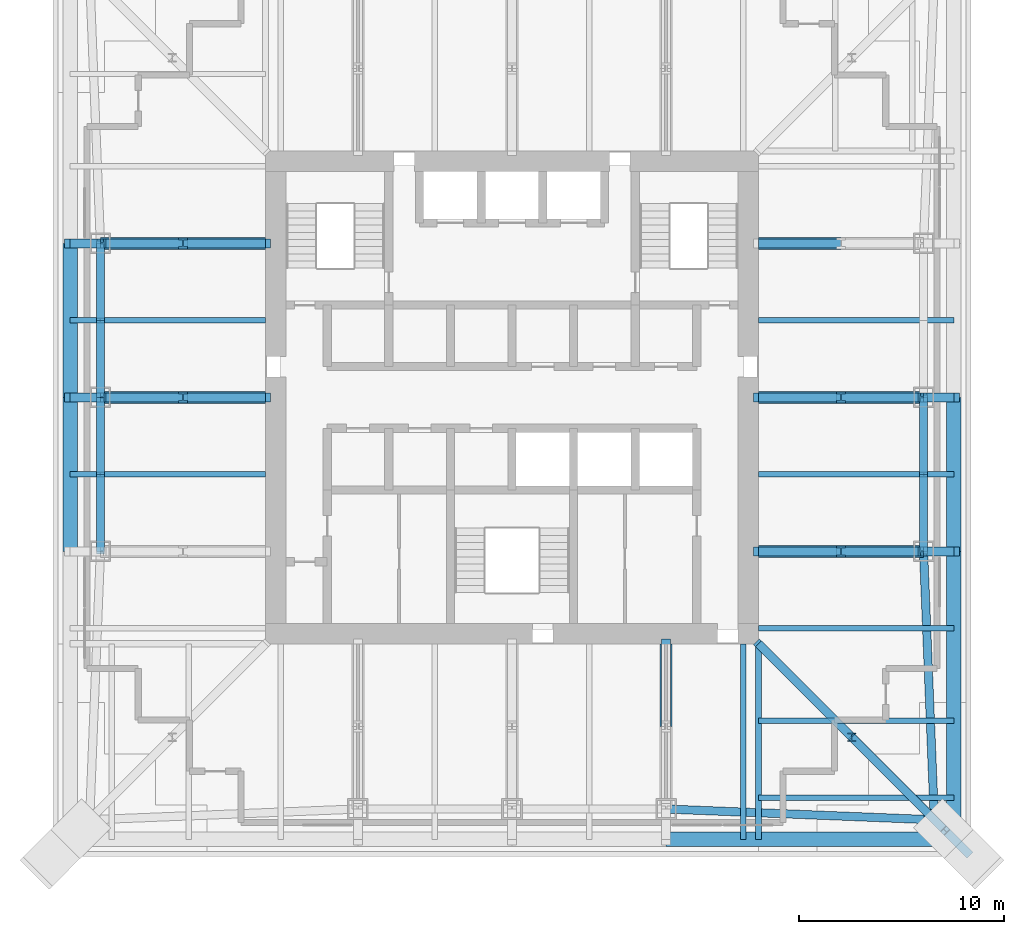
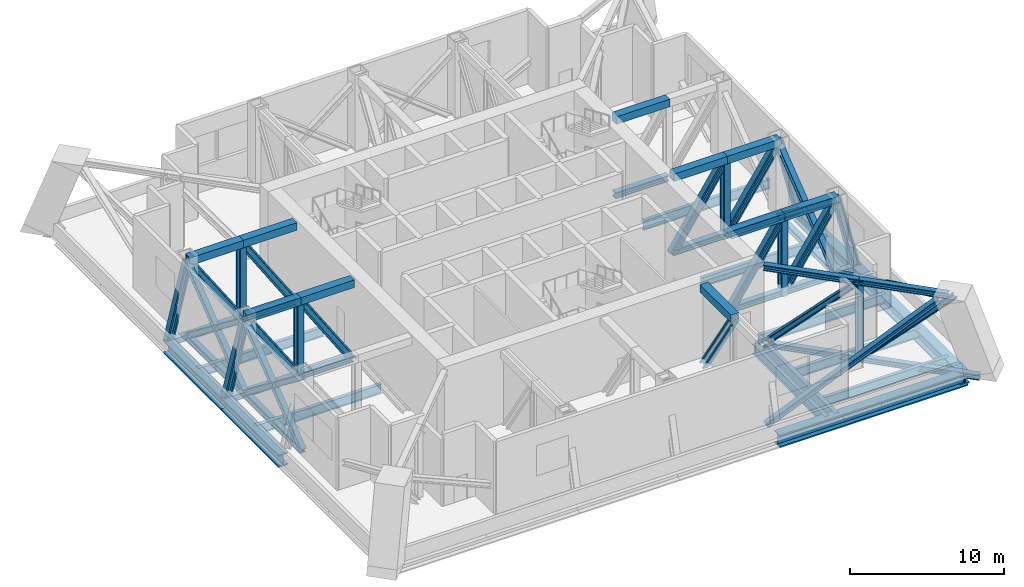
# One storey, part 2 of 9: 64 members, 14 beams.
"""IFC4 building model written with IfcOpenShell, lengths in metres."""

from ifc_helpers import new_model, si_unit, direction, frame, origin, origin_2d, place, context, subcontext, project, spatial, hollow_rectangle, i_section, extrude, clip, halfspace, material, material_profile, profile_set, type_object, element, save


model = new_model("IFC4")

# Units and contexts
model_context = context("Model", 3, precision=1e-05, world=origin(), true_north=direction((0.0, 1.0)))
body_context = subcontext(model_context, "Body", "Model", "MODEL_VIEW")
ifc_project = project(units=[si_unit("LENGTHUNIT", "METRE"), si_unit("AREAUNIT", "SQUARE_METRE"), si_unit("VOLUMEUNIT", "CUBIC_METRE"), si_unit("PLANEANGLEUNIT", "RADIAN"), si_unit("MASSUNIT", "GRAM", prefix="KILO")], contexts=[model_context])

# Site, building, storey
site_placement = place(None, origin())
site = spatial("IfcSite", under=ifc_project, at=site_placement, CompositionType="ELEMENT")
building_placement = place(site_placement, origin())
building = spatial("IfcBuilding", under=site, at=building_placement, Name="Tarangal Relay Tower", CompositionType="ELEMENT")
storey_placement = place(building_placement, frame((0.0, 0.0, 253.89990234375)))
storey = spatial("IfcBuildingStorey", under=building, at=storey_placement, Name="L55", CompositionType="ELEMENT", Elevation=253.89990234375)

# Members
ifc_material_1 = material(Name="Steel ASTM A992", Category="steel")
ifc_material_profile_1 = material_profile(ifc_material_1, i_section(OverallWidth=0.40380859375, OverallDepth=0.406494140625, WebThickness=0.027099609375, FlangeThickness=0.043701171875, at=origin_2d()), Name="W14X233")
ifc_profile_set_1 = profile_set([ifc_material_profile_1], Name="Steel ASTM A992")
member_type_1 = type_object("IfcMemberType", Name="Belt truss brace W14X233", PredefinedType="BRACE", material=ifc_profile_set_1)
for number, where, z_axis, x_axis, name in (
    (1, (20.0400390625, 0.0, -0.4873046875), (0.0, -0.790390136435, 0.612603813428), (1.0, 0.0, 0.0), "Belt truss E L55 brace"),
    (2, (20.0400390625, -3.75, 2.419189453125), (0.0, -0.790390136435, 0.612603813428), (1.0, 0.0, 0.0), "Belt truss E L55 brace"),
    (3, (20.0400390625, -7.5, -0.4873046875), (0.0, 0.790390136435, 0.612603813428), (-1.0, 0.0, 0.0), "Belt truss E L55 brace"),
    (4, (20.0400390625, -3.75, 2.419189453125), (0.0, 0.790390136435, 0.612603813428), (-1.0, 0.0, 0.0), "Belt truss E L55 brace"),
):
    element("IfcMember", number, at=place(storey_placement, frame(where, z_axis=z_axis, x_axis=x_axis)), inside=storey, type_object=member_type_1, Name=name, PredefinedType="BRACE", context=body_context, shape_type="SweptSolid", body=[
        extrude(i_section(OverallWidth=0.40380859375, OverallDepth=0.406494140625, WebThickness=0.027099609375, FlangeThickness=0.043701171875, at=origin_2d()), origin(), (0.0, 0.0, 1.0), 4.744384765625),
    ])
for number, where, z_axis, x_axis, name in (
    (5, (20.0400390625, -7.5, -0.4873046875), (0.036609871243, -0.908043977313, 0.417271916853), (0.999188247597, 0.040284561108, 0.0), "Belt truss E L55 end brace"),
    (6, (7.5, -20.0400390625, -0.4873046875), (0.908043977313, -0.036609871243, 0.417271916853), (0.040284561108, 0.999188247597, 0.0), "Belt truss S L55 end brace"),
):
    element("IfcMember", number, at=place(storey_placement, frame(where, z_axis=z_axis, x_axis=x_axis)), inside=storey, type_object=member_type_1, Name=name, PredefinedType="BRACE", context=body_context, shape_type="SweptSolid", body=[
        extrude(i_section(OverallWidth=0.40380859375, OverallDepth=0.406494140625, WebThickness=0.027099609375, FlangeThickness=0.043701171875, at=origin_2d()), origin(), (0.0, 0.0, 1.0), 13.930908203125),
    ])
for number, where, z_axis, x_axis, name in (
    (7, (-20.0400390625, -7.5, -0.4873046875), (0.0, 0.790390136435, 0.612603813428), (-1.0, 0.0, 0.0), "Belt truss W L55 brace"),
    (8, (-20.0400390625, -3.75, 2.419189453125), (0.0, 0.790390136435, 0.612603813428), (-1.0, 0.0, 0.0), "Belt truss W L55 brace"),
    (9, (-20.0400390625, 0.0, -0.4873046875), (0.0, -0.790390136435, 0.612603813428), (1.0, 0.0, 0.0), "Belt truss W L55 brace"),
    (10, (-20.0400390625, -3.75, 2.419189453125), (0.0, -0.790390136435, 0.612603813428), (1.0, 0.0, 0.0), "Belt truss W L55 brace"),
    (11, (-20.0400390625, 0.0, -0.4873046875), (0.0, 0.790390136435, 0.612603813428), (-1.0, 0.0, 0.0), "Belt truss W L55 brace"),
    (12, (-20.0400390625, 3.75, 2.419189453125), (0.0, 0.790390136435, 0.612603813428), (-1.0, 0.0, 0.0), "Belt truss W L55 brace"),
    (13, (-20.0400390625, 7.5, -0.4873046875), (0.0, -0.790390136435, 0.612603813428), (1.0, 0.0, 0.0), "Belt truss W L55 brace"),
    (14, (-20.0400390625, 3.75, 2.419189453125), (0.0, -0.790390136435, 0.612603813428), (1.0, 0.0, 0.0), "Belt truss W L55 brace"),
):
    element("IfcMember", number, at=place(storey_placement, frame(where, z_axis=z_axis, x_axis=x_axis)), inside=storey, type_object=member_type_1, Name=name, PredefinedType="BRACE", context=body_context, shape_type="SweptSolid", body=[
        extrude(i_section(OverallWidth=0.40380859375, OverallDepth=0.406494140625, WebThickness=0.027099609375, FlangeThickness=0.043701171875, at=origin_2d()), origin(), (0.0, 0.0, 1.0), 4.744384765625),
    ])
ifc_material_profile_2 = material_profile(ifc_material_1, i_section(OverallWidth=0.406494140625, OverallDepth=0.41650390625, WebThickness=0.030029296875, FlangeThickness=0.048095703125, at=origin_2d()), Name="W14X257")
ifc_profile_set_2 = profile_set([ifc_material_profile_2], Name="Steel ASTM A992")
member_type_2 = type_object("IfcMemberType", Name="Belt truss chord W14X257", PredefinedType="CHORD", material=ifc_profile_set_2)
for number, where, z_axis, x_axis, name in (
    (15, (20.0400390625, 0.0, -0.4873046875), (0.0, -1.0, 0.0), (1.0, 0.0, 0.0), "Belt truss E L55 bottom chord"),
    (16, (-20.0400390625, -7.5, -0.4873046875), (0.0, 1.0, 0.0), (-1.0, 0.0, 0.0), "Belt truss W L55 bottom chord"),
    (17, (-20.0400390625, 0.0, -0.4873046875), (0.0, 1.0, 0.0), (-1.0, 0.0, 0.0), "Belt truss W L55 bottom chord"),
):
    element("IfcMember", number, at=place(storey_placement, frame(where, z_axis=z_axis, x_axis=x_axis)), inside=storey, type_object=member_type_2, Name=name, PredefinedType="CHORD", context=body_context, shape_type="SweptSolid", body=[
        extrude(i_section(OverallWidth=0.406494140625, OverallDepth=0.41650390625, WebThickness=0.030029296875, FlangeThickness=0.048095703125, at=origin_2d()), origin(), (0.0, 0.0, 1.0), 7.5),
    ])

# Beams
ifc_material_profile_3 = material_profile(ifc_material_1, i_section(OverallWidth=0.2666015625, OverallDepth=0.761962890625, WebThickness=0.014404296875, FlangeThickness=0.021484375, at=origin_2d()), Name="W30X116")
ifc_profile_set_3 = profile_set([ifc_material_profile_3], Name="Steel ASTM A992")
beam_type_1 = type_object("IfcBeamType", Name="Corner beam W30X116", PredefinedType="JOIST", material=ifc_profile_set_3)
for number, where, z_axis, x_axis, name in (
    (18, (12.0, -15.75, -0.630859375), (1.0, 0.0, 0.0), (0.0, 1.0, 0.0), "Corner beam CB1 E L55"),
    (19, (12.0, -19.5, -0.630859375), (1.0, 0.0, 0.0), (0.0, 1.0, 0.0), "Corner beam CB1 E L55"),
):
    element("IfcBeam", number, at=place(storey_placement, frame(where, z_axis=z_axis, x_axis=x_axis)), inside=storey, type_object=beam_type_1, Name=name, PredefinedType="JOIST", context=body_context, shape_type="SweptSolid", body=[
        extrude(i_section(OverallWidth=0.2666015625, OverallDepth=0.761962890625, WebThickness=0.014404296875, FlangeThickness=0.021484375, at=origin_2d()), origin(), (0.0, 0.0, 1.0), 9.514892578125),
    ])
ifc_material_profile_4 = material_profile(ifc_material_1, i_section(OverallWidth=0.307373046875, OverallDepth=0.9423828125, WebThickness=0.022216796875, FlangeThickness=0.039794921875, at=origin_2d()), Name="W36X232")
ifc_profile_set_4 = profile_set([ifc_material_profile_4], Name="Steel ASTM A992")
beam_type_2 = type_object("IfcBeamType", Name="Corner girder W36X232", PredefinedType="BEAM", material=ifc_profile_set_4)
beam_1_placement = place(storey_placement, frame((12.0, -12.0, -0.720947265625), z_axis=(0.0, -1.0, 0.0), x_axis=(1.0, 0.0, 0.0)))
element("IfcBeam", 20, at=beam_1_placement, inside=storey, type_object=beam_type_2, Name="Corner girder CG4 E L55", PredefinedType="BEAM", context=body_context, shape_type="SweptSolid", body=[
    extrude(i_section(OverallWidth=0.307373046875, OverallDepth=0.9423828125, WebThickness=0.022216796875, FlangeThickness=0.039794921875, at=origin_2d()), origin(), (0.0, 0.0, 1.0), 9.514892578125),
])
ifc_material_2 = material(Name="Steel ASTM A572 Grade 50", Category="steel")
ifc_material_profile_5 = material_profile(ifc_material_2, i_section(OverallWidth=0.699951171875, OverallDepth=1.0, WebThickness=0.030029296875, FlangeThickness=0.10009765625, at=origin_2d()), Name="PG1000X700X100X30")
ifc_profile_set_5 = profile_set([ifc_material_profile_5], Name="Steel ASTM A572 Grade 50")
beam_type_3 = type_object("IfcBeamType", Name="Edge girder PG1000X700X100X30", PredefinedType="SPANDREL", material=ifc_profile_set_5)
beam_2_placement = place(storey_placement, frame((21.514892578125, 0.0, -0.75), z_axis=(0.0, -1.0, 0.0), x_axis=(1.0, 0.0, 0.0)))
element("IfcBeam", 21, at=beam_2_placement, inside=storey, type_object=beam_type_3, Name="Edge girder EG13 E L55", PredefinedType="SPANDREL", context=body_context, shape_type="SweptSolid", body=[
    extrude(i_section(OverallWidth=0.699951171875, OverallDepth=1.0, WebThickness=0.030029296875, FlangeThickness=0.10009765625, at=origin_2d()), origin(), (0.0, 0.0, 1.0), 7.5),
])
for number, where, z_axis, x_axis, name in (
    (22, (21.514892578125, -7.5, -0.75), (0.0, -1.0, 0.0), (1.0, 0.0, 0.0), "Edge girder EG13 E L55"),
    (23, (21.64990234375, -21.514892578125, -0.75), (-1.0, 0.0, 0.0), (0.0, -1.0, 0.0), "Edge girder EG13 S L55"),
):
    element("IfcBeam", number, at=place(storey_placement, frame(where, z_axis=z_axis, x_axis=x_axis)), inside=storey, type_object=beam_type_3, Name=name, PredefinedType="SPANDREL", context=body_context, shape_type="SweptSolid", body=[
        extrude(i_section(OverallWidth=0.699951171875, OverallDepth=1.0, WebThickness=0.030029296875, FlangeThickness=0.10009765625, at=origin_2d()), origin(), (0.0, 0.0, 1.0), 14.14990234375),
    ])
for number, where, z_axis, x_axis, name in (
    (24, (-21.514892578125, -7.5, -0.75), (0.0, 1.0, 0.0), (-1.0, 0.0, 0.0), "Edge girder EG13 W L55"),
    (25, (-21.514892578125, 0.0, -0.75), (0.0, 1.0, 0.0), (-1.0, 0.0, 0.0), "Edge girder EG13 W L55"),
):
    element("IfcBeam", number, at=place(storey_placement, frame(where, z_axis=z_axis, x_axis=x_axis)), inside=storey, type_object=beam_type_3, Name=name, PredefinedType="SPANDREL", context=body_context, shape_type="SweptSolid", body=[
        extrude(i_section(OverallWidth=0.699951171875, OverallDepth=1.0, WebThickness=0.030029296875, FlangeThickness=0.10009765625, at=origin_2d()), origin(), (0.0, 0.0, 1.0), 7.5),
    ])
ifc_material_profile_6 = material_profile(ifc_material_1, i_section(OverallWidth=0.2666015625, OverallDepth=0.75439453125, WebThickness=0.01318359375, FlangeThickness=0.01708984375, at=origin_2d()), Name="W30X99")
ifc_profile_set_6 = profile_set([ifc_material_profile_6], Name="Steel ASTM A992")
beam_type_4 = type_object("IfcBeamType", Name="Floor beam W30X99", PredefinedType="BEAM", material=ifc_profile_set_6)
for number, where, z_axis, x_axis, name in (
    (26, (12.0, 3.75, -0.627197265625), (1.0, 0.0, 0.0), (0.0, 1.0, 0.0), "Floor beam RB7 E L55"),
    (27, (12.0, -3.75, -0.627197265625), (1.0, 0.0, 0.0), (0.0, 1.0, 0.0), "Floor beam RB7 E L55"),
    (28, (12.0, -11.25, -0.627197265625), (1.0, 0.0, 0.0), (0.0, 1.0, 0.0), "Floor beam RB7 E L55"),
    (29, (11.25, -12.0, -0.627197265625), (0.0, -1.0, 0.0), (1.0, 0.0, 0.0), "Floor beam RB7 S L55"),
    (30, (-12.0, -3.75, -0.627197265625), (-1.0, 0.0, 0.0), (0.0, -1.0, 0.0), "Floor beam RB7 W L55"),
    (31, (-12.0, 3.75, -0.627197265625), (-1.0, 0.0, 0.0), (0.0, -1.0, 0.0), "Floor beam RB7 W L55"),
):
    element("IfcBeam", number, at=place(storey_placement, frame(where, z_axis=z_axis, x_axis=x_axis)), inside=storey, type_object=beam_type_4, Name=name, PredefinedType="BEAM", context=body_context, shape_type="SweptSolid", body=[
        extrude(i_section(OverallWidth=0.2666015625, OverallDepth=0.75439453125, WebThickness=0.01318359375, FlangeThickness=0.01708984375, at=origin_2d()), origin(), (0.0, 0.0, 1.0), 9.514892578125),
    ])

# Members
ifc_material_profile_7 = material_profile(ifc_material_1, i_section(OverallWidth=0.41162109375, OverallDepth=0.434326171875, WebThickness=0.035888671875, FlangeThickness=0.057373046875, at=origin_2d()), Name="W14X311")
ifc_profile_set_7 = profile_set([ifc_material_profile_7], Name="Steel ASTM A992")
member_type_3 = type_object("IfcMemberType", Name="Outrigger chord W14X311", PredefinedType="CHORD", material=ifc_profile_set_7)
member_1_placement = place(storey_placement, frame((12.0, -12.0, -0.467041015625), z_axis=(0.707106781187, -0.707106781187, 0.0), x_axis=(0.707106781187, 0.707106781187, 0.0)))
element("IfcMember", 32, at=member_1_placement, inside=storey, type_object=member_type_3, Name="Outrigger SE L55 bottom chord", PredefinedType="CHORD", context=body_context, shape_type="SweptSolid", body=[
    extrude(i_section(OverallWidth=0.41162109375, OverallDepth=0.434326171875, WebThickness=0.035888671875, FlangeThickness=0.057373046875, at=origin_2d()), origin(), (0.0, 0.0, 1.0), 6.428955078125),
])
member_2_placement = place(storey_placement, frame((16.5458984375, -16.5458984375, -0.467041015625), z_axis=(0.707106781187, -0.707106781187, 0.0), x_axis=(0.707106781187, 0.707106781187, 0.0)))
element("IfcMember", 33, at=member_2_placement, inside=storey, type_object=member_type_3, Name="Outrigger SE L55 bottom chord", PredefinedType="CHORD", context=body_context, shape_type="Clipping", body=[
    clip(extrude(i_section(OverallWidth=0.41162109375, OverallDepth=0.434326171875, WebThickness=0.035888671875, FlangeThickness=0.057373046875, at=origin_2d()), origin(), (0.0, 0.0, 1.0), 8.42041015625), halfspace(frame((0.0, 0.0, 8.1298828125)), False)),
])
member_3_placement = place(storey_placement, frame((12.0, -12.0, 5.6328125), z_axis=(0.707106781187, -0.707106781187, 0.0), x_axis=(0.707106781187, 0.707106781187, 0.0)))
element("IfcMember", 34, at=member_3_placement, inside=storey, type_object=member_type_3, Name="Outrigger SE L55 top chord", PredefinedType="CHORD", context=body_context, shape_type="SweptSolid", body=[
    extrude(i_section(OverallWidth=0.41162109375, OverallDepth=0.434326171875, WebThickness=0.035888671875, FlangeThickness=0.057373046875, at=origin_2d()), origin(), (0.0, 0.0, 1.0), 6.428955078125),
])
member_4_placement = place(storey_placement, frame((16.5458984375, -16.5458984375, 5.6328125), z_axis=(0.707106781187, -0.707106781187, 0.0), x_axis=(0.707106781187, 0.707106781187, 0.0)))
element("IfcMember", 35, at=member_4_placement, inside=storey, type_object=member_type_3, Name="Outrigger SE L55 top chord", PredefinedType="CHORD", context=body_context, shape_type="Clipping", body=[
    clip(extrude(i_section(OverallWidth=0.41162109375, OverallDepth=0.434326171875, WebThickness=0.035888671875, FlangeThickness=0.057373046875, at=origin_2d()), origin(), (0.0, 0.0, 1.0), 6.428955078125), halfspace(frame((0.0, 0.0, 6.008544921875)), False)),
])
ifc_material_profile_8 = material_profile(ifc_material_1, i_section(OverallWidth=0.40380859375, OverallDepth=0.406494140625, WebThickness=0.027099609375, FlangeThickness=0.043701171875, at=origin_2d()), Name="W14X233")
ifc_profile_set_8 = profile_set([ifc_material_profile_8], Name="Steel ASTM A992")
member_type_4 = type_object("IfcMemberType", Name="Outrigger web W14X233", PredefinedType="STRUT", material=ifc_profile_set_8)
member_5_placement = place(storey_placement, frame((16.5458984375, -16.5458984375, -0.467041015625), z_axis=(0.0, 0.0, 1.0), x_axis=(1.0, 0.0, 0.0)))
element("IfcMember", 36, at=member_5_placement, inside=storey, type_object=member_type_4, Name="Outrigger SE L55 vertical", PredefinedType="STRUT", context=body_context, shape_type="SweptSolid", body=[
    extrude(i_section(OverallWidth=0.40380859375, OverallDepth=0.406494140625, WebThickness=0.027099609375, FlangeThickness=0.043701171875, at=origin_2d()), origin(), (0.0, 0.0, 1.0), 6.099853515625),
])
for number, where, z_axis, x_axis, name in (
    (37, (12.0, -12.0, -0.467041015625), (0.512953687451, -0.512953687451, 0.688300101018), (0.707106781187, 0.707106781187, 0.0), "Outrigger SE L55 diagonal"),
    (38, (16.5458984375, -16.5458984375, -0.467041015625), (0.512953687451, -0.512953687451, 0.688300101018), (0.707106781187, 0.707106781187, 0.0), "Outrigger SE L55 diagonal"),
):
    element("IfcMember", number, at=place(storey_placement, frame(where, z_axis=z_axis, x_axis=x_axis)), inside=storey, type_object=member_type_4, Name=name, PredefinedType="STRUT", context=body_context, shape_type="SweptSolid", body=[
        extrude(i_section(OverallWidth=0.40380859375, OverallDepth=0.406494140625, WebThickness=0.027099609375, FlangeThickness=0.043701171875, at=origin_2d()), origin(), (0.0, 0.0, 1.0), 8.8623046875),
    ])
ifc_material_profile_9 = material_profile(ifc_material_1, i_section(OverallWidth=0.42431640625, OverallDepth=0.47509765625, WebThickness=0.0478515625, FlangeThickness=0.0771484375, at=origin_2d()), Name="W14X426")
ifc_profile_set_9 = profile_set([ifc_material_profile_9], Name="Steel ASTM A992")
member_type_5 = type_object("IfcMemberType", Name="Transfer truss chord W14X426", PredefinedType="CHORD", material=ifc_profile_set_9)
for number, where, z_axis, x_axis, name in (
    (39, (12.0, 7.5, -0.4873046875), (1.0, 0.0, 0.0), (0.0, 1.0, 0.0), "Transfer truss E -7.5 L55 bottom chord"),
    (40, (12.0, 0.0, -0.4873046875), (1.0, 0.0, 0.0), (0.0, 1.0, 0.0), "Transfer truss E +0.0 L55 bottom chord"),
    (41, (16.02001953125, 0.0, -0.4873046875), (1.0, 0.0, 0.0), (0.0, 1.0, 0.0), "Transfer truss E +0.0 L55 bottom chord"),
):
    element("IfcMember", number, at=place(storey_placement, frame(where, z_axis=z_axis, x_axis=x_axis)), inside=storey, type_object=member_type_5, Name=name, PredefinedType="CHORD", context=body_context, shape_type="SweptSolid", body=[
        extrude(i_section(OverallWidth=0.42431640625, OverallDepth=0.47509765625, WebThickness=0.0478515625, FlangeThickness=0.0771484375, at=origin_2d()), origin(), (0.0, 0.0, 1.0), 4.02001953125),
    ])
member_6_placement = place(storey_placement, frame((20.0400390625, 0.0, -0.4873046875), z_axis=(1.0, 0.0, 0.0), x_axis=(0.0, 1.0, 0.0)))
element("IfcMember", 42, at=member_6_placement, inside=storey, type_object=member_type_5, Name="Transfer truss E +0.0 L55 bottom chord", PredefinedType="CHORD", context=body_context, shape_type="SweptSolid", body=[
    extrude(i_section(OverallWidth=0.42431640625, OverallDepth=0.47509765625, WebThickness=0.0478515625, FlangeThickness=0.0771484375, at=origin_2d()), origin(), (0.0, 0.0, 1.0), 1.474853515625),
])
for number, where, z_axis, x_axis, name in (
    (43, (12.0, -7.5, -0.4873046875), (1.0, 0.0, 0.0), (0.0, 1.0, 0.0), "Transfer truss E +7.5 L55 bottom chord"),
    (44, (16.02001953125, -7.5, -0.4873046875), (1.0, 0.0, 0.0), (0.0, 1.0, 0.0), "Transfer truss E +7.5 L55 bottom chord"),
):
    element("IfcMember", number, at=place(storey_placement, frame(where, z_axis=z_axis, x_axis=x_axis)), inside=storey, type_object=member_type_5, Name=name, PredefinedType="CHORD", context=body_context, shape_type="SweptSolid", body=[
        extrude(i_section(OverallWidth=0.42431640625, OverallDepth=0.47509765625, WebThickness=0.0478515625, FlangeThickness=0.0771484375, at=origin_2d()), origin(), (0.0, 0.0, 1.0), 4.02001953125),
    ])
member_7_placement = place(storey_placement, frame((20.0400390625, -7.5, -0.4873046875), z_axis=(1.0, 0.0, 0.0), x_axis=(0.0, 1.0, 0.0)))
element("IfcMember", 45, at=member_7_placement, inside=storey, type_object=member_type_5, Name="Transfer truss E +7.5 L55 bottom chord", PredefinedType="CHORD", context=body_context, shape_type="SweptSolid", body=[
    extrude(i_section(OverallWidth=0.42431640625, OverallDepth=0.47509765625, WebThickness=0.0478515625, FlangeThickness=0.0771484375, at=origin_2d()), origin(), (0.0, 0.0, 1.0), 1.474853515625),
])
for number, where, z_axis, x_axis, name in (
    (46, (-12.0, 0.0, -0.4873046875), (-1.0, 0.0, 0.0), (0.0, -1.0, 0.0), "Transfer truss W +0.0 L55 bottom chord"),
    (47, (-16.02001953125, 0.0, -0.4873046875), (-1.0, 0.0, 0.0), (0.0, -1.0, 0.0), "Transfer truss W +0.0 L55 bottom chord"),
):
    element("IfcMember", number, at=place(storey_placement, frame(where, z_axis=z_axis, x_axis=x_axis)), inside=storey, type_object=member_type_5, Name=name, PredefinedType="CHORD", context=body_context, shape_type="SweptSolid", body=[
        extrude(i_section(OverallWidth=0.42431640625, OverallDepth=0.47509765625, WebThickness=0.0478515625, FlangeThickness=0.0771484375, at=origin_2d()), origin(), (0.0, 0.0, 1.0), 4.02001953125),
    ])
member_8_placement = place(storey_placement, frame((-20.0400390625, 0.0, -0.4873046875), z_axis=(-1.0, 0.0, 0.0), x_axis=(0.0, -1.0, 0.0)))
element("IfcMember", 48, at=member_8_placement, inside=storey, type_object=member_type_5, Name="Transfer truss W +0.0 L55 bottom chord", PredefinedType="CHORD", context=body_context, shape_type="SweptSolid", body=[
    extrude(i_section(OverallWidth=0.42431640625, OverallDepth=0.47509765625, WebThickness=0.0478515625, FlangeThickness=0.0771484375, at=origin_2d()), origin(), (0.0, 0.0, 1.0), 1.474853515625),
])
for number, where, z_axis, x_axis, name in (
    (49, (-12.0, 7.5, -0.4873046875), (-1.0, 0.0, 0.0), (0.0, -1.0, 0.0), "Transfer truss W +7.5 L55 bottom chord"),
    (50, (-16.02001953125, 7.5, -0.4873046875), (-1.0, 0.0, 0.0), (0.0, -1.0, 0.0), "Transfer truss W +7.5 L55 bottom chord"),
):
    element("IfcMember", number, at=place(storey_placement, frame(where, z_axis=z_axis, x_axis=x_axis)), inside=storey, type_object=member_type_5, Name=name, PredefinedType="CHORD", context=body_context, shape_type="SweptSolid", body=[
        extrude(i_section(OverallWidth=0.42431640625, OverallDepth=0.47509765625, WebThickness=0.0478515625, FlangeThickness=0.0771484375, at=origin_2d()), origin(), (0.0, 0.0, 1.0), 4.02001953125),
    ])
member_9_placement = place(storey_placement, frame((-20.0400390625, 7.5, -0.4873046875), z_axis=(-1.0, 0.0, 0.0), x_axis=(0.0, -1.0, 0.0)))
element("IfcMember", 51, at=member_9_placement, inside=storey, type_object=member_type_5, Name="Transfer truss W +7.5 L55 bottom chord", PredefinedType="CHORD", context=body_context, shape_type="SweptSolid", body=[
    extrude(i_section(OverallWidth=0.42431640625, OverallDepth=0.47509765625, WebThickness=0.0478515625, FlangeThickness=0.0771484375, at=origin_2d()), origin(), (0.0, 0.0, 1.0), 1.474853515625),
])
ifc_material_profile_10 = material_profile(ifc_material_2, hollow_rectangle(XDim=0.60009765625, YDim=0.60009765625, WallThickness=0.070068359375, at=origin_2d()), Name="BOX600X600X70")
ifc_profile_set_10 = profile_set([ifc_material_profile_10], Name="Steel ASTM A572 Grade 50")
member_type_6 = type_object("IfcMemberType", Name="Transfer truss top chord BOX600X600X70", PredefinedType="CHORD", material=ifc_profile_set_10)
for number, where, z_axis, x_axis, name in (
    (52, (12.0, 7.5, 5.550048828125), (1.0, 0.0, 0.0), (0.0, 1.0, 0.0), "Transfer truss E -7.5 L55 top chord"),
    (53, (12.0, 0.0, 5.550048828125), (1.0, 0.0, 0.0), (0.0, 1.0, 0.0), "Transfer truss E +0.0 L55 top chord"),
    (54, (16.02001953125, 0.0, 5.550048828125), (1.0, 0.0, 0.0), (0.0, 1.0, 0.0), "Transfer truss E +0.0 L55 top chord"),
    (55, (12.0, -7.5, 5.550048828125), (1.0, 0.0, 0.0), (0.0, 1.0, 0.0), "Transfer truss E +7.5 L55 top chord"),
    (56, (16.02001953125, -7.5, 5.550048828125), (1.0, 0.0, 0.0), (0.0, 1.0, 0.0), "Transfer truss E +7.5 L55 top chord"),
    (57, (7.5, -12.0, 5.550048828125), (0.0, -1.0, 0.0), (1.0, 0.0, 0.0), "Transfer truss S -7.5 L55 top chord"),
    (58, (-12.0, 0.0, 5.550048828125), (-1.0, 0.0, 0.0), (0.0, -1.0, 0.0), "Transfer truss W +0.0 L55 top chord"),
    (59, (-16.02001953125, 0.0, 5.550048828125), (-1.0, 0.0, 0.0), (0.0, -1.0, 0.0), "Transfer truss W +0.0 L55 top chord"),
    (60, (-12.0, 7.5, 5.550048828125), (-1.0, 0.0, 0.0), (0.0, -1.0, 0.0), "Transfer truss W +7.5 L55 top chord"),
    (61, (-16.02001953125, 7.5, 5.550048828125), (-1.0, 0.0, 0.0), (0.0, -1.0, 0.0), "Transfer truss W +7.5 L55 top chord"),
):
    element("IfcMember", number, at=place(storey_placement, frame(where, z_axis=z_axis, x_axis=x_axis)), inside=storey, type_object=member_type_6, Name=name, PredefinedType="CHORD", context=body_context, shape_type="SweptSolid", body=[
        extrude(hollow_rectangle(XDim=0.60009765625, YDim=0.60009765625, WallThickness=0.070068359375, at=origin_2d()), origin(), (0.0, 0.0, 1.0), 4.02001953125),
    ])
ifc_material_profile_11 = material_profile(ifc_material_1, i_section(OverallWidth=0.44970703125, OverallDepth=0.548583984375, WebThickness=0.072021484375, FlangeThickness=0.11474609375, at=origin_2d()), Name="W14X665")
ifc_profile_set_11 = profile_set([ifc_material_profile_11], Name="Steel ASTM A992")
member_type_7 = type_object("IfcMemberType", Name="Transfer truss web W14X665", PredefinedType="STRUT", material=ifc_profile_set_11)
member_10_placement = place(storey_placement, frame((16.02001953125, 0.0, -0.724853515625), z_axis=(0.0, 0.0, 1.0), x_axis=(1.0, 0.0, 0.0)))
element("IfcMember", 62, at=member_10_placement, inside=storey, type_object=member_type_7, Name="Transfer truss E +0.0 L55 vertical", PredefinedType="STRUT", context=body_context, shape_type="SweptSolid", body=[
    extrude(i_section(OverallWidth=0.44970703125, OverallDepth=0.548583984375, WebThickness=0.072021484375, FlangeThickness=0.11474609375, at=origin_2d()), origin(), (0.0, 0.0, 1.0), 6.27490234375),
])
member_11_placement = place(storey_placement, frame((12.0, 0.0, -0.599853515625), z_axis=(0.547147296219, 0.0, 0.837036341051), x_axis=(0.0, 1.0, 0.0)))
element("IfcMember", 63, at=member_11_placement, inside=storey, type_object=member_type_7, Name="Transfer truss E +0.0 L55 diagonal", PredefinedType="STRUT", context=body_context, shape_type="SweptSolid", body=[
    extrude(i_section(OverallWidth=0.44970703125, OverallDepth=0.548583984375, WebThickness=0.072021484375, FlangeThickness=0.11474609375, at=origin_2d()), origin(), (0.0, 0.0, 1.0), 7.34716796875),
])
member_12_placement = place(storey_placement, frame((16.02001953125, 0.0, -0.4873046875), z_axis=(0.554234057344, 0.0, 0.832360865058), x_axis=(0.0, 1.0, 0.0)))
element("IfcMember", 64, at=member_12_placement, inside=storey, type_object=member_type_7, Name="Transfer truss E +0.0 L55 diagonal", PredefinedType="STRUT", context=body_context, shape_type="SweptSolid", body=[
    extrude(i_section(OverallWidth=0.44970703125, OverallDepth=0.548583984375, WebThickness=0.072021484375, FlangeThickness=0.11474609375, at=origin_2d()), origin(), (0.0, 0.0, 1.0), 7.253173828125),
])
member_13_placement = place(storey_placement, frame((21.514892578125, 0.0, -0.4873046875), z_axis=(-0.23730975733, 0.0, 0.971434032282), x_axis=(0.0, -1.0, 0.0)))
element("IfcMember", 65, at=member_13_placement, inside=storey, type_object=member_type_7, Name="Transfer truss E +0.0 L55 end diagonal", PredefinedType="STRUT", context=body_context, shape_type="SweptSolid", body=[
    extrude(i_section(OverallWidth=0.44970703125, OverallDepth=0.548583984375, WebThickness=0.072021484375, FlangeThickness=0.11474609375, at=origin_2d()), origin(), (0.0, 0.0, 1.0), 6.21484375),
])
member_14_placement = place(storey_placement, frame((16.02001953125, -7.5, -0.724853515625), z_axis=(0.0, 0.0, 1.0), x_axis=(1.0, 0.0, 0.0)))
element("IfcMember", 66, at=member_14_placement, inside=storey, type_object=member_type_7, Name="Transfer truss E +7.5 L55 vertical", PredefinedType="STRUT", context=body_context, shape_type="SweptSolid", body=[
    extrude(i_section(OverallWidth=0.44970703125, OverallDepth=0.548583984375, WebThickness=0.072021484375, FlangeThickness=0.11474609375, at=origin_2d()), origin(), (0.0, 0.0, 1.0), 6.27490234375),
])
member_15_placement = place(storey_placement, frame((12.0, -7.5, -0.599853515625), z_axis=(0.547147296219, 0.0, 0.837036341051), x_axis=(0.0, 1.0, 0.0)))
element("IfcMember", 67, at=member_15_placement, inside=storey, type_object=member_type_7, Name="Transfer truss E +7.5 L55 diagonal", PredefinedType="STRUT", context=body_context, shape_type="SweptSolid", body=[
    extrude(i_section(OverallWidth=0.44970703125, OverallDepth=0.548583984375, WebThickness=0.072021484375, FlangeThickness=0.11474609375, at=origin_2d()), origin(), (0.0, 0.0, 1.0), 7.34716796875),
])
member_16_placement = place(storey_placement, frame((16.02001953125, -7.5, -0.4873046875), z_axis=(0.554234057344, 0.0, 0.832360865058), x_axis=(0.0, 1.0, 0.0)))
element("IfcMember", 68, at=member_16_placement, inside=storey, type_object=member_type_7, Name="Transfer truss E +7.5 L55 diagonal", PredefinedType="STRUT", context=body_context, shape_type="SweptSolid", body=[
    extrude(i_section(OverallWidth=0.44970703125, OverallDepth=0.548583984375, WebThickness=0.072021484375, FlangeThickness=0.11474609375, at=origin_2d()), origin(), (0.0, 0.0, 1.0), 7.253173828125),
])
member_17_placement = place(storey_placement, frame((21.514892578125, -7.5, -0.4873046875), z_axis=(-0.23730975733, 0.0, 0.971434032282), x_axis=(0.0, -1.0, 0.0)))
element("IfcMember", 69, at=member_17_placement, inside=storey, type_object=member_type_7, Name="Transfer truss E +7.5 L55 end diagonal", PredefinedType="STRUT", context=body_context, shape_type="SweptSolid", body=[
    extrude(i_section(OverallWidth=0.44970703125, OverallDepth=0.548583984375, WebThickness=0.072021484375, FlangeThickness=0.11474609375, at=origin_2d()), origin(), (0.0, 0.0, 1.0), 6.21484375),
])
member_18_placement = place(storey_placement, frame((7.5, -12.0, -0.599853515625), z_axis=(0.0, -0.547147296219, 0.837036341051), x_axis=(1.0, 0.0, 0.0)))
element("IfcMember", 70, at=member_18_placement, inside=storey, type_object=member_type_7, Name="Transfer truss S -7.5 L55 diagonal", PredefinedType="STRUT", context=body_context, shape_type="SweptSolid", body=[
    extrude(i_section(OverallWidth=0.44970703125, OverallDepth=0.548583984375, WebThickness=0.072021484375, FlangeThickness=0.11474609375, at=origin_2d()), origin(), (0.0, 0.0, 1.0), 7.34716796875),
])
member_19_placement = place(storey_placement, frame((-16.02001953125, 0.0, -0.724853515625), z_axis=(0.0, 0.0, 1.0), x_axis=(1.0, 0.0, 0.0)))
element("IfcMember", 71, at=member_19_placement, inside=storey, type_object=member_type_7, Name="Transfer truss W +0.0 L55 vertical", PredefinedType="STRUT", context=body_context, shape_type="SweptSolid", body=[
    extrude(i_section(OverallWidth=0.44970703125, OverallDepth=0.548583984375, WebThickness=0.072021484375, FlangeThickness=0.11474609375, at=origin_2d()), origin(), (0.0, 0.0, 1.0), 6.27490234375),
])
member_20_placement = place(storey_placement, frame((-12.0, 0.0, -0.599853515625), z_axis=(-0.547147296219, 0.0, 0.837036341051), x_axis=(0.0, -1.0, 0.0)))
element("IfcMember", 72, at=member_20_placement, inside=storey, type_object=member_type_7, Name="Transfer truss W +0.0 L55 diagonal", PredefinedType="STRUT", context=body_context, shape_type="SweptSolid", body=[
    extrude(i_section(OverallWidth=0.44970703125, OverallDepth=0.548583984375, WebThickness=0.072021484375, FlangeThickness=0.11474609375, at=origin_2d()), origin(), (0.0, 0.0, 1.0), 7.34716796875),
])
member_21_placement = place(storey_placement, frame((-16.02001953125, 0.0, -0.4873046875), z_axis=(-0.554234057344, 0.0, 0.832360865058), x_axis=(0.0, -1.0, 0.0)))
element("IfcMember", 73, at=member_21_placement, inside=storey, type_object=member_type_7, Name="Transfer truss W +0.0 L55 diagonal", PredefinedType="STRUT", context=body_context, shape_type="SweptSolid", body=[
    extrude(i_section(OverallWidth=0.44970703125, OverallDepth=0.548583984375, WebThickness=0.072021484375, FlangeThickness=0.11474609375, at=origin_2d()), origin(), (0.0, 0.0, 1.0), 7.253173828125),
])
member_22_placement = place(storey_placement, frame((-21.514892578125, 0.0, -0.4873046875), z_axis=(0.23730975733, 0.0, 0.971434032282), x_axis=(0.0, 1.0, 0.0)))
element("IfcMember", 74, at=member_22_placement, inside=storey, type_object=member_type_7, Name="Transfer truss W +0.0 L55 end diagonal", PredefinedType="STRUT", context=body_context, shape_type="SweptSolid", body=[
    extrude(i_section(OverallWidth=0.44970703125, OverallDepth=0.548583984375, WebThickness=0.072021484375, FlangeThickness=0.11474609375, at=origin_2d()), origin(), (0.0, 0.0, 1.0), 6.21484375),
])
member_23_placement = place(storey_placement, frame((-16.02001953125, 7.5, -0.724853515625), z_axis=(0.0, 0.0, 1.0), x_axis=(1.0, 0.0, 0.0)))
element("IfcMember", 75, at=member_23_placement, inside=storey, type_object=member_type_7, Name="Transfer truss W +7.5 L55 vertical", PredefinedType="STRUT", context=body_context, shape_type="SweptSolid", body=[
    extrude(i_section(OverallWidth=0.44970703125, OverallDepth=0.548583984375, WebThickness=0.072021484375, FlangeThickness=0.11474609375, at=origin_2d()), origin(), (0.0, 0.0, 1.0), 6.27490234375),
])
member_24_placement = place(storey_placement, frame((-12.0, 7.5, -0.599853515625), z_axis=(-0.547147296219, 0.0, 0.837036341051), x_axis=(0.0, -1.0, 0.0)))
element("IfcMember", 76, at=member_24_placement, inside=storey, type_object=member_type_7, Name="Transfer truss W +7.5 L55 diagonal", PredefinedType="STRUT", context=body_context, shape_type="SweptSolid", body=[
    extrude(i_section(OverallWidth=0.44970703125, OverallDepth=0.548583984375, WebThickness=0.072021484375, FlangeThickness=0.11474609375, at=origin_2d()), origin(), (0.0, 0.0, 1.0), 7.34716796875),
])
member_25_placement = place(storey_placement, frame((-16.02001953125, 7.5, -0.4873046875), z_axis=(-0.554234057344, 0.0, 0.832360865058), x_axis=(0.0, -1.0, 0.0)))
element("IfcMember", 77, at=member_25_placement, inside=storey, type_object=member_type_7, Name="Transfer truss W +7.5 L55 diagonal", PredefinedType="STRUT", context=body_context, shape_type="SweptSolid", body=[
    extrude(i_section(OverallWidth=0.44970703125, OverallDepth=0.548583984375, WebThickness=0.072021484375, FlangeThickness=0.11474609375, at=origin_2d()), origin(), (0.0, 0.0, 1.0), 7.253173828125),
])
member_26_placement = place(storey_placement, frame((-21.514892578125, 7.5, -0.4873046875), z_axis=(0.23730975733, 0.0, 0.971434032282), x_axis=(0.0, 1.0, 0.0)))
element("IfcMember", 78, at=member_26_placement, inside=storey, type_object=member_type_7, Name="Transfer truss W +7.5 L55 end diagonal", PredefinedType="STRUT", context=body_context, shape_type="SweptSolid", body=[
    extrude(i_section(OverallWidth=0.44970703125, OverallDepth=0.548583984375, WebThickness=0.072021484375, FlangeThickness=0.11474609375, at=origin_2d()), origin(), (0.0, 0.0, 1.0), 6.21484375),
])

save(model, "model.ifc")
